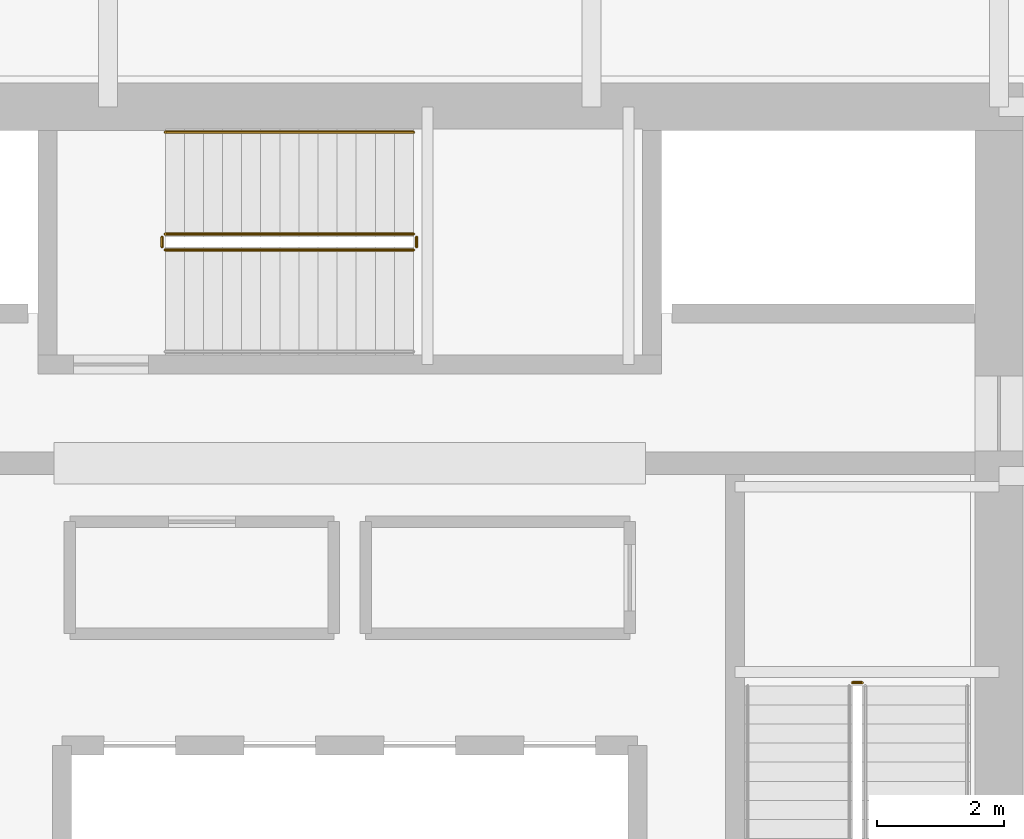
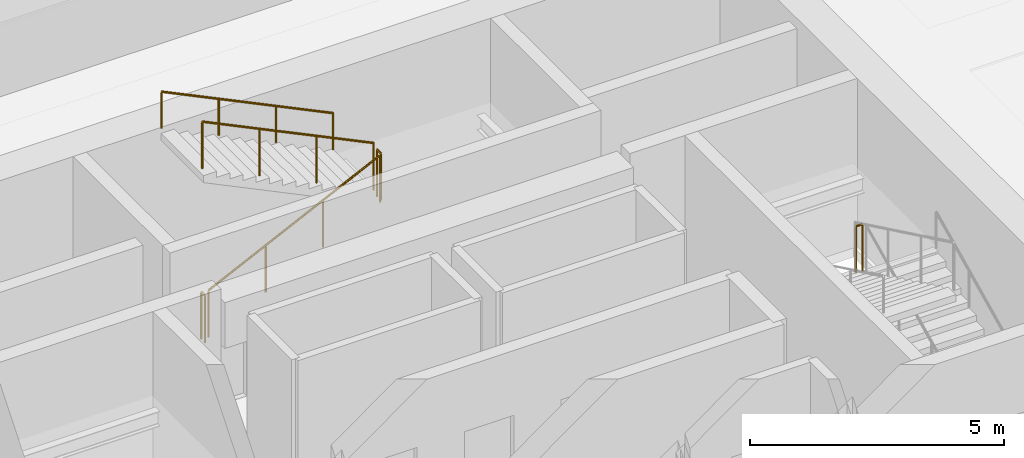
# One storey, part 33 of 34: 6 railings.
"""IFC4 building model written with IfcOpenShell, lengths in metres."""

from ifc_helpers import new_model, si_unit, direction, frame, origin, origin_2d, place, context, subcontext, project, spatial, circle, extrude, material, type_object, element, save


model = new_model("IFC4")

# Units and contexts
model_context = context("Model", 3, precision=1e-05, world=origin(), true_north=direction((0.0, 1.0)))
body_context = subcontext(model_context, "Body", "Model", "MODEL_VIEW")
ifc_project = project(units=[si_unit("LENGTHUNIT", "METRE"), si_unit("AREAUNIT", "SQUARE_METRE"), si_unit("VOLUMEUNIT", "CUBIC_METRE"), si_unit("PLANEANGLEUNIT", "RADIAN"), si_unit("MASSUNIT", "GRAM", prefix="KILO")], contexts=[model_context])

# Site, building, storey
site_placement = place(None, origin())
site = spatial("IfcSite", under=ifc_project, at=site_placement, CompositionType="ELEMENT")
building_placement = place(site_placement, origin())
building = spatial("IfcBuilding", under=site, at=building_placement, Name="Punatoya Terracotta Tower", CompositionType="ELEMENT")
storey_placement = place(building_placement, frame((0.0, 0.0, 97.050048828125)))
storey = spatial("IfcBuildingStorey", under=building, at=storey_placement, Name="L22", CompositionType="ELEMENT", Elevation=97.050048828125)

# Railings
ifc_material = material(Name="Steel S355", Category="steel")
railing_type_1 = type_object("IfcRailingType", Name="RLG-GRD-1150", PredefinedType="GUARDRAIL", material=ifc_material)
railing_1_placement = place(storey_placement, frame((8.050048828125, 0.14990234375, 2.02490234375)))
element("IfcRailing", 1, at=railing_1_placement, inside=storey, type_object=railing_type_1, Name="L22 ST-2 stair guard 2", PredefinedType="GUARDRAIL", context=body_context, shape_type="SweptSolid", body=[
    extrude(circle(Radius=0.02392578125, at=origin_2d()), frame((0.0, 0.0, 1.1259765625), z_axis=(-1.0, 0.0, 0.0), x_axis=(0.0, -1.0, 0.0)), (0.0, 0.0, 1.0), 0.150146484375),
    extrude(circle(Radius=0.02099609375, at=origin_2d()), origin(), (0.0, 0.0, 1.0), 1.101806640625),
    extrude(circle(Radius=0.02099609375, at=origin_2d()), frame((-0.150146484375, 0.0, 0.0)), (0.0, 0.0, 1.0), 1.101806640625),
])
railing_2_placement = place(storey_placement, frame((-2.89990234375, 6.949951171875, 0.14453125)))
element("IfcRailing", 2, at=railing_2_placement, inside=storey, type_object=railing_type_1, Name="L22 ST-3 stair guard 1", PredefinedType="GUARDRAIL", context=body_context, shape_type="SweptSolid", body=[
    extrude(circle(Radius=0.02392578125, at=origin_2d()), frame((0.0, 0.0, 1.1259765625), z_axis=(0.900763166376, 0.0, 0.434310623978), x_axis=(0.0, 1.0, 0.0)), (0.0, 0.0, 1.0), 4.32958984375),
    extrude(circle(Radius=0.02099609375, at=origin_2d()), origin(), (0.0, 0.0, 1.0), 1.101806640625),
    extrude(circle(Radius=0.02099609375, at=origin_2d()), frame((1.300048828125, 0.0, 0.626708984375)), (0.0, 0.0, 1.0), 1.101806640625),
    extrude(circle(Radius=0.02099609375, at=origin_2d()), frame((2.599853515625, 0.0, 1.253662109375)), (0.0, 0.0, 1.0), 1.101806640625),
    extrude(circle(Radius=0.02099609375, at=origin_2d()), frame((3.89990234375, 0.0, 1.88037109375)), (0.0, 0.0, 1.0), 1.101806640625),
])
railing_3_placement = place(storey_placement, frame((1.050048828125, 7.0, 2.02490234375)))
element("IfcRailing", 3, at=railing_3_placement, inside=storey, type_object=railing_type_1, Name="L22 ST-3 stair guard 2", PredefinedType="GUARDRAIL", context=body_context, shape_type="SweptSolid", body=[
    extrude(circle(Radius=0.02392578125, at=origin_2d()), frame((0.0, 0.0, 1.1259765625), z_axis=(0.0, 1.0, 0.0), x_axis=(-1.0, 0.0, 0.0)), (0.0, 0.0, 1.0), 0.14990234375),
    extrude(circle(Radius=0.02099609375, at=origin_2d()), origin(), (0.0, 0.0, 1.0), 1.101806640625),
    extrude(circle(Radius=0.02099609375, at=origin_2d()), frame((0.0, 0.14990234375, 0.0)), (0.0, 0.0, 1.0), 1.101806640625),
])
railing_4_placement = place(storey_placement, frame((1.0, 7.199951171875, 2.169677734375)))
element("IfcRailing", 4, at=railing_4_placement, inside=storey, type_object=railing_type_1, Name="L22 ST-3 stair guard 3", PredefinedType="GUARDRAIL", context=body_context, shape_type="SweptSolid", body=[
    extrude(circle(Radius=0.02392578125, at=origin_2d()), frame((0.0, 0.0, 1.1259765625), z_axis=(-0.900763166376, 0.0, 0.434310623978), x_axis=(0.0, -1.0, 0.0)), (0.0, 0.0, 1.0), 4.32958984375),
    extrude(circle(Radius=0.02099609375, at=origin_2d()), origin(), (0.0, 0.0, 1.0), 1.101806640625),
    extrude(circle(Radius=0.02099609375, at=origin_2d()), frame((-1.300048828125, 0.0, 0.626708984375)), (0.0, 0.0, 1.0), 1.101806640625),
    extrude(circle(Radius=0.02099609375, at=origin_2d()), frame((-2.599853515625, 0.0, 1.253662109375)), (0.0, 0.0, 1.0), 1.101806640625),
    extrude(circle(Radius=0.02099609375, at=origin_2d()), frame((-3.89990234375, 0.0, 1.88037109375)), (0.0, 0.0, 1.0), 1.101806640625),
])
railing_5_placement = place(storey_placement, frame((-2.949951171875, 7.0, 0.0)))
element("IfcRailing", 5, at=railing_5_placement, inside=storey, type_object=railing_type_1, Name="L22 ST-3 stair guard 4", PredefinedType="GUARDRAIL", context=body_context, shape_type="SweptSolid", body=[
    extrude(circle(Radius=0.02392578125, at=origin_2d()), frame((0.0, 0.0, 1.1259765625), z_axis=(0.0, 1.0, 0.0), x_axis=(-1.0, 0.0, 0.0)), (0.0, 0.0, 1.0), 0.14990234375),
    extrude(circle(Radius=0.02099609375, at=origin_2d()), origin(), (0.0, 0.0, 1.0), 1.101806640625),
    extrude(circle(Radius=0.02099609375, at=origin_2d()), frame((0.0, 0.14990234375, 0.0)), (0.0, 0.0, 1.0), 1.101806640625),
])
railing_type_2 = type_object("IfcRailingType", Name="RLG-HND-900", PredefinedType="HANDRAIL", material=ifc_material)
railing_6_placement = place(storey_placement, frame((1.0, 8.800048828125, 2.169677734375)))
element("IfcRailing", 6, at=railing_6_placement, inside=storey, type_object=railing_type_2, Name="L22 ST-3 stair handrail 2", PredefinedType="HANDRAIL", context=body_context, shape_type="SweptSolid", body=[
    extrude(circle(Radius=0.02392578125, at=origin_2d()), frame((0.0, 0.0, 0.8759765625), z_axis=(-0.900763166376, 0.0, 0.434310623978), x_axis=(0.0, -1.0, 0.0)), (0.0, 0.0, 1.0), 4.32958984375),
    extrude(circle(Radius=0.02099609375, at=origin_2d()), origin(), (0.0, 0.0, 1.0), 0.851806640625),
    extrude(circle(Radius=0.02099609375, at=origin_2d()), frame((-1.300048828125, 0.0, 0.626708984375)), (0.0, 0.0, 1.0), 0.851806640625),
    extrude(circle(Radius=0.02099609375, at=origin_2d()), frame((-2.599853515625, 0.0, 1.253662109375)), (0.0, 0.0, 1.0), 0.851806640625),
    extrude(circle(Radius=0.02099609375, at=origin_2d()), frame((-3.89990234375, 0.0, 1.88037109375)), (0.0, 0.0, 1.0), 0.851806640625),
])

save(model, "model.ifc")
